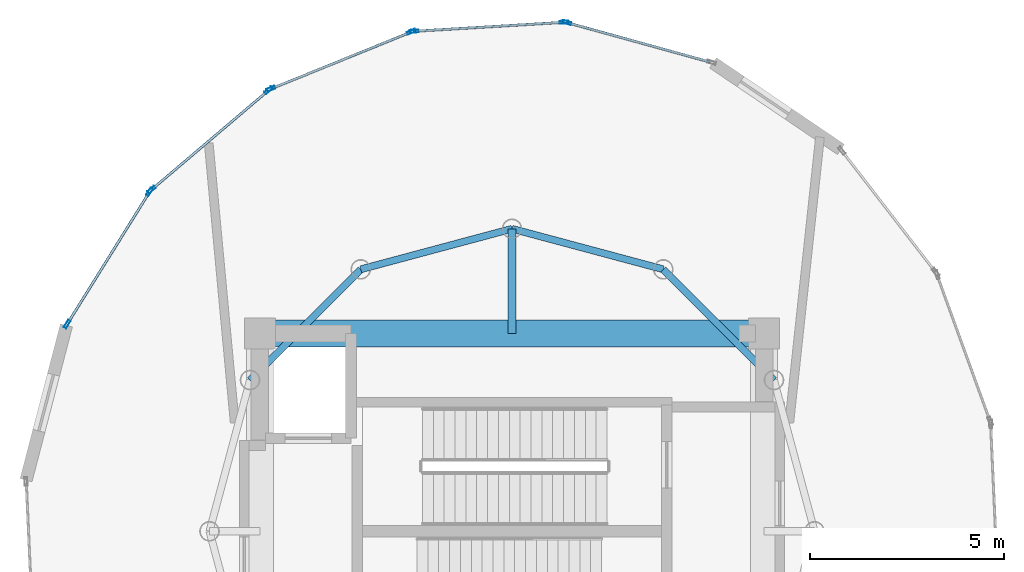
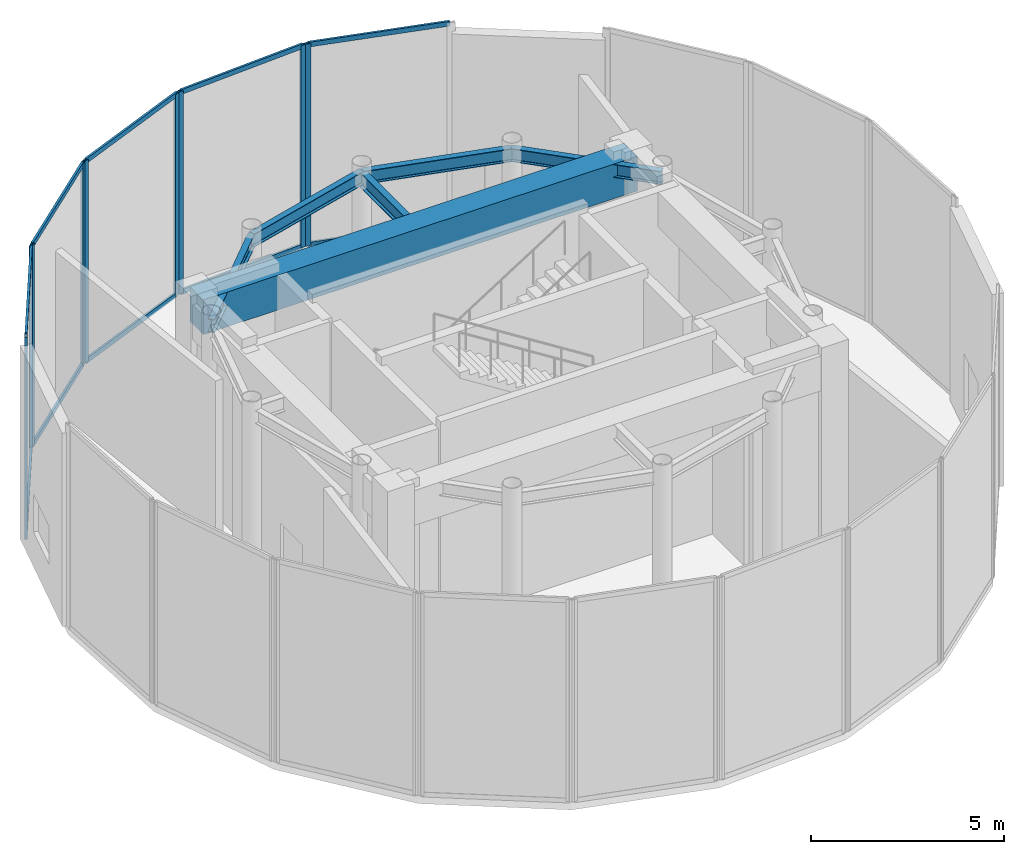
# One storey, part 6 of 10: 19 members, 6 beams, 5 elements without a shape of their own.
"""IFC4 building model written with IfcOpenShell, lengths in metres."""

from ifc_helpers import new_model, si_unit, direction, frame, origin, origin_2d, place, context, subcontext, project, spatial, rectangle, hollow_rectangle, i_section, extrude, source, transform, mapped, material, layer, layer_set, material_profile, profile_set, type_object, element, aggregate, save


model = new_model("IFC4")

# Units and contexts
model_context = context("Model", 3, precision=1e-05, world=origin(), true_north=direction((0.0, 1.0)))
body_context = subcontext(model_context, "Body", "Model", "MODEL_VIEW")
ifc_project = project(units=[si_unit("LENGTHUNIT", "METRE"), si_unit("AREAUNIT", "SQUARE_METRE"), si_unit("VOLUMEUNIT", "CUBIC_METRE"), si_unit("PLANEANGLEUNIT", "RADIAN"), si_unit("MASSUNIT", "GRAM", prefix="KILO")], contexts=[model_context])

# Site, building, storey
site_placement = place(None, origin())
site = spatial("IfcSite", under=ifc_project, at=site_placement, CompositionType="ELEMENT")
building_placement = place(site_placement, origin())
building = spatial("IfcBuilding", under=site, at=building_placement, Name="Solvirekh Grand Hotel", CompositionType="ELEMENT")
storey_placement = place(building_placement, frame((0.0, 0.0, 308.199951171875)))
storey = spatial("IfcBuildingStorey", under=building, at=storey_placement, Name="L79", CompositionType="ELEMENT", Elevation=308.199951171875)

# Beams
ifc_material_1 = material(Name="Concrete C60/75", Category="concrete")
ifc_material_profile_1 = material_profile(ifc_material_1, rectangle(XDim=0.699951171875, YDim=1.10009765625, at=origin_2d()), Name="RC BEAM 700X1100")
ifc_profile_set_1 = profile_set([ifc_material_profile_1], Name="Concrete C60/75")
beam_type_1 = type_object("IfcBeamType", Name="Beam_Core_RC1100", PredefinedType="BEAM", material=ifc_profile_set_1)
beam_1_placement = place(storey_placement, frame((6.5, 5.10009765625, 5.570068359375), z_axis=(-1.0, 0.0, 0.0), x_axis=(0.0, -1.0, 0.0)))
element("IfcBeam", 1, at=beam_1_placement, inside=storey, type_object=beam_type_1, Name="L79 core coupling ring beam 3", PredefinedType="BEAM", context=body_context, shape_type="SweptSolid", body=[
    extrude(rectangle(XDim=0.699951171875, YDim=1.10009765625, at=origin_2d()), origin(), (0.0, 0.0, 1.0), 13.0),
])
ifc_material_2 = material(Name="Steel S355", Category="steel")
ifc_material_profile_2 = material_profile(ifc_material_2, i_section(OverallWidth=0.194091796875, OverallDepth=0.468994140625, WebThickness=0.010986328125, FlangeThickness=0.01904296875, FilletRadius=0.012939453125, at=origin_2d()), Name="W460X106")
ifc_profile_set_2 = profile_set([ifc_material_profile_2], Name="Steel S355")
beam_type_2 = type_object("IfcBeamType", Name="Beam_Radial_W460H", PredefinedType="BEAM", material=ifc_profile_set_2)
beam_2_placement = place(storey_placement, frame((0.0, 5.10009765625, 5.885009765625), z_axis=(0.0, 1.0, 0.0), x_axis=(-1.0, 0.0, 0.0)))
element("IfcBeam", 2, at=beam_2_placement, inside=storey, type_object=beam_type_2, Name="L79 radial floor beam R04", PredefinedType="BEAM", context=body_context, shape_type="SweptSolid", body=[
    extrude(i_section(OverallWidth=0.194091796875, OverallDepth=0.468994140625, WebThickness=0.010986328125, FlangeThickness=0.01904296875, FilletRadius=0.012939453125, at=origin_2d()), origin(), (0.0, 0.0, 1.0), 2.699951171875),
])
ifc_material_profile_3 = material_profile(ifc_material_2, i_section(OverallWidth=0.180908203125, OverallDepth=0.4169921875, WebThickness=0.010009765625, FlangeThickness=0.01611328125, FilletRadius=0.011962890625, at=origin_2d()), Name="W410X85")
ifc_profile_set_3 = profile_set([ifc_material_profile_3], Name="Steel S355")
beam_type_3 = type_object("IfcBeamType", Name="Spandrel_Ring_W410", PredefinedType="SPANDREL", material=ifc_profile_set_3)
for number, where, z_axis, x_axis, name in (
    (3, (6.7548828125, 3.89990234375, 5.9111328125), (-0.707106781187, 0.707106781187, 0.0), (-0.707106781187, -0.707106781187, 0.0), "L79 perimeter spandrel beam 2"),
    (4, (3.89990234375, 6.7548828125, 5.9111328125), (-0.965914040095, 0.258863027773, 0.0), (-0.258863027773, -0.965914040095, 0.0), "L79 perimeter spandrel beam 3"),
    (5, (0.0, 7.800048828125, 5.9111328125), (-0.965914040095, -0.258863027773, 0.0), (0.258863027773, -0.965914040095, 0.0), "L79 perimeter spandrel beam 4"),
    (6, (-3.89990234375, 6.7548828125, 5.9111328125), (-0.707106781187, -0.707106781187, 0.0), (0.707106781187, -0.707106781187, 0.0), "L79 perimeter spandrel beam 5"),
):
    element("IfcBeam", number, at=place(storey_placement, frame(where, z_axis=z_axis, x_axis=x_axis)), inside=storey, type_object=beam_type_3, Name=name, PredefinedType="SPANDREL", context=body_context, shape_type="SweptSolid", body=[
        extrude(i_section(OverallWidth=0.180908203125, OverallDepth=0.4169921875, WebThickness=0.010009765625, FlangeThickness=0.01611328125, FilletRadius=0.011962890625, at=origin_2d()), origin(), (0.0, 0.0, 1.0), 4.03759765625),
    ])

# Curtain wall, member
ifc_material_3 = material(Name="Anodized Bronze Aluminium 6063-T6", Category="aluminium")
ifc_layer = layer(ifc_material_3, 0.219970703125)
ifc_layer_set = layer_set([ifc_layer], Name="Anodized Bronze Aluminium 6063-T6")
curtain_wall_type = type_object("IfcCurtainWallType", Name="CW_Sys6_CrownFacetedPointCW", PredefinedType="NOTDEFINED", material=ifc_layer_set)
curtain_wall_1_placement = place(storey_placement, origin())
curtain_wall_1 = element("IfcCurtainWall", 7, at=curtain_wall_1_placement, inside=storey, type_object=curtain_wall_type, Name="L79 unitised bronze-glass curtain wall CW-L79-C10", PredefinedType="NOTDEFINED")
ifc_material_profile_4 = material_profile(ifc_material_3, hollow_rectangle(XDim=0.074951171875, YDim=0.219970703125, WallThickness=0.006103515625, at=origin_2d()), Name="ALU RHS 220X75X6")
ifc_profile_set_4 = profile_set([ifc_material_profile_4], Name="Anodized Bronze Aluminium 6063-T6")
member_type_1 = type_object("IfcMemberType", Name="CWMullion_Sys6", PredefinedType="MULLION", material=ifc_profile_set_4)
shared_shape_1 = source(origin(), body_context, "Body", "SweptSolid", [
    extrude(hollow_rectangle(XDim=0.074951171875, YDim=0.219970703125, WallThickness=0.006103515625, at=origin_2d()), origin(), (0.0, 0.0, 1.0), 6.400146484375),
])
member_1_placement = place(storey_placement, frame((1.416259765625, 13.117919921875, 0.0), z_axis=(0.0, 0.0, 1.0), x_axis=(-0.266010178933, -0.963970219822, 0.0)))
member_1 = element("IfcMember", 8, at=member_1_placement, type_object=member_type_1, Name="U06 mullion 2", PredefinedType="MULLION", context=body_context, shape_type="MappedRepresentation", body=[
    mapped(shared_shape_1, transform((0.0, 0.0, 0.0), x_axis=(1.0, 0.0, 0.0), y_axis=(0.0, 1.0, 0.0), z_axis=(0.0, 0.0, 1.0), scale=1.0)),
])

# Curtain wall, members
curtain_wall_2_placement = place(storey_placement, origin())
curtain_wall_2 = element("IfcCurtainWall", 9, at=curtain_wall_2_placement, inside=storey, type_object=curtain_wall_type, Name="L79 unitised bronze-glass curtain wall CW-L79-C11", PredefinedType="NOTDEFINED")
member_2_placement = place(storey_placement, frame((1.342529296875, 13.125732421875, 0.0), z_axis=(0.0, 0.0, 1.0), x_axis=(0.059791312727, -0.99821089902, 0.0)))
member_2 = element("IfcMember", 10, at=member_2_placement, type_object=member_type_1, Name="U06 mullion 1", PredefinedType="MULLION", context=body_context, shape_type="MappedRepresentation", body=[
    mapped(shared_shape_1, transform((0.0, 0.0, 0.0), x_axis=(1.0, 0.0, 0.0), y_axis=(0.0, 1.0, 0.0), z_axis=(0.0, 0.0, 1.0), scale=1.0)),
])
member_3_placement = place(storey_placement, frame((-2.5224609375, 12.894287109375, 0.0), z_axis=(0.0, 0.0, 1.0), x_axis=(0.059791312727, -0.99821089902, 0.0)))
member_3 = element("IfcMember", 11, at=member_3_placement, type_object=member_type_1, Name="U06 mullion 2", PredefinedType="MULLION", context=body_context, shape_type="MappedRepresentation", body=[
    mapped(shared_shape_1, transform((0.0, 0.0, 0.0), x_axis=(1.0, 0.0, 0.0), y_axis=(0.0, 1.0, 0.0), z_axis=(0.0, 0.0, 1.0), scale=1.0)),
])

curtain_wall_3_placement = place(storey_placement, origin())
curtain_wall_3 = element("IfcCurtainWall", 12, at=curtain_wall_3_placement, inside=storey, type_object=curtain_wall_type, Name="L79 unitised bronze-glass curtain wall CW-L79-C12", PredefinedType="NOTDEFINED")
member_4_placement = place(storey_placement, frame((-2.5947265625, 12.8779296875, 0.0), z_axis=(0.0, 0.0, 1.0), x_axis=(0.376019931651, -0.926611575042, 0.0)))
member_4 = element("IfcMember", 13, at=member_4_placement, type_object=member_type_1, Name="U06 mullion 1", PredefinedType="MULLION", context=body_context, shape_type="MappedRepresentation", body=[
    mapped(shared_shape_1, transform((0.0, 0.0, 0.0), x_axis=(1.0, 0.0, 0.0), y_axis=(0.0, 1.0, 0.0), z_axis=(0.0, 0.0, 1.0), scale=1.0)),
])
member_5_placement = place(storey_placement, frame((-6.21435546875, 11.4091796875, 0.0), z_axis=(0.0, 0.0, 1.0), x_axis=(0.376019931651, -0.926611575042, 0.0)))
member_5 = element("IfcMember", 14, at=member_5_placement, type_object=member_type_1, Name="U06 mullion 2", PredefinedType="MULLION", context=body_context, shape_type="MappedRepresentation", body=[
    mapped(shared_shape_1, transform((0.0, 0.0, 0.0), x_axis=(1.0, 0.0, 0.0), y_axis=(0.0, 1.0, 0.0), z_axis=(0.0, 0.0, 1.0), scale=1.0)),
])

curtain_wall_4_placement = place(storey_placement, origin())
curtain_wall_4 = element("IfcCurtainWall", 15, at=curtain_wall_4_placement, inside=storey, type_object=curtain_wall_type, Name="L79 unitised bronze-glass curtain wall CW-L79-C13", PredefinedType="NOTDEFINED")
member_6_placement = place(storey_placement, frame((-6.277587890625, 11.370849609375, 0.0), z_axis=(0.0, 0.0, 1.0), x_axis=(0.647173794498, -0.762342495022, 0.0)))
member_6 = element("IfcMember", 16, at=member_6_placement, type_object=member_type_1, Name="U06 mullion 1", PredefinedType="MULLION", context=body_context, shape_type="MappedRepresentation", body=[
    mapped(shared_shape_1, transform((0.0, 0.0, 0.0), x_axis=(1.0, 0.0, 0.0), y_axis=(0.0, 1.0, 0.0), z_axis=(0.0, 0.0, 1.0), scale=1.0)),
])
member_7_placement = place(storey_placement, frame((-9.29833984375, 8.80615234375, 0.0), z_axis=(0.0, 0.0, 1.0), x_axis=(0.647173794498, -0.762342495022, 0.0)))
member_7 = element("IfcMember", 17, at=member_7_placement, type_object=member_type_1, Name="U06 mullion 2", PredefinedType="MULLION", context=body_context, shape_type="MappedRepresentation", body=[
    mapped(shared_shape_1, transform((0.0, 0.0, 0.0), x_axis=(1.0, 0.0, 0.0), y_axis=(0.0, 1.0, 0.0), z_axis=(0.0, 0.0, 1.0), scale=1.0)),
])

curtain_wall_5_placement = place(storey_placement, origin())
curtain_wall_5 = element("IfcCurtainWall", 18, at=curtain_wall_5_placement, inside=storey, type_object=curtain_wall_type, Name="L79 unitised bronze-glass curtain wall CW-L79-C14", PredefinedType="NOTDEFINED")
member_8_placement = place(storey_placement, frame((-9.346923828125, 8.750244140625, 0.0), z_axis=(0.0, 0.0, 1.0), x_axis=(0.848725147477, -0.528834212245, 0.0)))
member_8 = element("IfcMember", 19, at=member_8_placement, type_object=member_type_1, Name="U06 mullion 1", PredefinedType="MULLION", context=body_context, shape_type="MappedRepresentation", body=[
    mapped(shared_shape_1, transform((0.0, 0.0, 0.0), x_axis=(1.0, 0.0, 0.0), y_axis=(0.0, 1.0, 0.0), z_axis=(0.0, 0.0, 1.0), scale=1.0)),
])
member_9_placement = place(storey_placement, frame((-11.47119140625, 5.3408203125, 0.0), z_axis=(0.0, 0.0, 1.0), x_axis=(0.848725147477, -0.528834212245, 0.0)))
member_9 = element("IfcMember", 20, at=member_9_placement, type_object=member_type_1, Name="U06 mullion 2", PredefinedType="MULLION", context=body_context, shape_type="MappedRepresentation", body=[
    mapped(shared_shape_1, transform((0.0, 0.0, 0.0), x_axis=(1.0, 0.0, 0.0), y_axis=(0.0, 1.0, 0.0), z_axis=(0.0, 0.0, 1.0), scale=1.0)),
])

# Member
ifc_material_profile_5 = material_profile(ifc_material_3, hollow_rectangle(XDim=0.06494140625, YDim=0.14990234375, WallThickness=0.0048828125, at=origin_2d()), Name="ALU RHS 150X65X5")
ifc_profile_set_5 = profile_set([ifc_material_profile_5], Name="Anodized Bronze Aluminium 6063-T6")
member_type_2 = type_object("IfcMemberType", Name="CWTransom_Sys6", PredefinedType="USERDEFINED", material=ifc_profile_set_5)
shared_shape_2 = source(origin(), body_context, "Body", "SweptSolid", [
    extrude(hollow_rectangle(XDim=0.06494140625, YDim=0.14990234375, WallThickness=0.0048828125, at=origin_2d()), origin(), (0.0, 0.0, 1.0), 3.797119140625),
])
member_10_placement = place(storey_placement, frame((1.30517578125, 13.12353515625, 0.032470703125), z_axis=(-0.998210606811, -0.059796190939, 0.0), x_axis=(0.059796190939, -0.998210606811, 0.0)))
member_10 = element("IfcMember", 21, at=member_10_placement, type_object=member_type_2, Name="U06 transom 1.1", ObjectType="TRANSOM", PredefinedType="USERDEFINED", context=body_context, shape_type="MappedRepresentation", body=[
    mapped(shared_shape_2, transform((0.0, 0.0, 0.0), x_axis=(1.0, 0.0, 0.0), y_axis=(0.0, 1.0, 0.0), z_axis=(0.0, 0.0, 1.0), scale=1.0)),
])

member_11_placement = place(storey_placement, frame((1.30517578125, 13.12353515625, 6.367431640625), z_axis=(-0.998210606811, -0.059796190939, 0.0), x_axis=(0.059796190939, -0.998210606811, 0.0)))
member_11 = element("IfcMember", 22, at=member_11_placement, type_object=member_type_2, Name="U06 transom 1.2", ObjectType="TRANSOM", PredefinedType="USERDEFINED", context=body_context, shape_type="MappedRepresentation", body=[
    mapped(shared_shape_2, transform((0.0, 0.0, 0.0), x_axis=(1.0, 0.0, 0.0), y_axis=(0.0, 1.0, 0.0), z_axis=(0.0, 0.0, 1.0), scale=1.0)),
])

aggregate(curtain_wall_2, [member_2, member_3, member_10, member_11])

shared_shape_3 = source(origin(), body_context, "Body", "SweptSolid", [
    extrude(hollow_rectangle(XDim=0.06494140625, YDim=0.14990234375, WallThickness=0.0048828125, at=origin_2d()), origin(), (0.0, 0.0, 1.0), 3.831298828125),
])
member_12_placement = place(storey_placement, frame((-2.62939453125, 12.86376953125, 0.032470703125), z_axis=(-0.926606085915, -0.376033458014, 0.0), x_axis=(0.376033458014, -0.926606085915, 0.0)))
member_12 = element("IfcMember", 23, at=member_12_placement, type_object=member_type_2, Name="U06 transom 1.1", ObjectType="TRANSOM", PredefinedType="USERDEFINED", context=body_context, shape_type="MappedRepresentation", body=[
    mapped(shared_shape_3, transform((0.0, 0.0, 0.0), x_axis=(1.0, 0.0, 0.0), y_axis=(0.0, 1.0, 0.0), z_axis=(0.0, 0.0, 1.0), scale=1.0)),
])

member_13_placement = place(storey_placement, frame((-2.62939453125, 12.86376953125, 6.367431640625), z_axis=(-0.926606085915, -0.376033458014, 0.0), x_axis=(0.376033458014, -0.926606085915, 0.0)))
member_13 = element("IfcMember", 24, at=member_13_placement, type_object=member_type_2, Name="U06 transom 1.2", ObjectType="TRANSOM", PredefinedType="USERDEFINED", context=body_context, shape_type="MappedRepresentation", body=[
    mapped(shared_shape_3, transform((0.0, 0.0, 0.0), x_axis=(1.0, 0.0, 0.0), y_axis=(0.0, 1.0, 0.0), z_axis=(0.0, 0.0, 1.0), scale=1.0)),
])

aggregate(curtain_wall_3, [member_4, member_5, member_12, member_13])

shared_shape_4 = source(origin(), body_context, "Body", "SweptSolid", [
    extrude(hollow_rectangle(XDim=0.06494140625, YDim=0.14990234375, WallThickness=0.0048828125, at=origin_2d()), origin(), (0.0, 0.0, 1.0), 3.887451171875),
])
member_14_placement = place(storey_placement, frame((-6.30615234375, 11.346435546875, 0.032470703125), z_axis=(-0.762346692669, -0.647168849819, 0.0), x_axis=(0.647168849819, -0.762346692669, 0.0)))
member_14 = element("IfcMember", 25, at=member_14_placement, type_object=member_type_2, Name="U06 transom 1.1", ObjectType="TRANSOM", PredefinedType="USERDEFINED", context=body_context, shape_type="MappedRepresentation", body=[
    mapped(shared_shape_4, transform((0.0, 0.0, 0.0), x_axis=(1.0, 0.0, 0.0), y_axis=(0.0, 1.0, 0.0), z_axis=(0.0, 0.0, 1.0), scale=1.0)),
])

member_15_placement = place(storey_placement, frame((-6.30615234375, 11.346435546875, 6.367431640625), z_axis=(-0.762346692669, -0.647168849819, 0.0), x_axis=(0.647168849819, -0.762346692669, 0.0)))
member_15 = element("IfcMember", 26, at=member_15_placement, type_object=member_type_2, Name="U06 transom 1.2", ObjectType="TRANSOM", PredefinedType="USERDEFINED", context=body_context, shape_type="MappedRepresentation", body=[
    mapped(shared_shape_4, transform((0.0, 0.0, 0.0), x_axis=(1.0, 0.0, 0.0), y_axis=(0.0, 1.0, 0.0), z_axis=(0.0, 0.0, 1.0), scale=1.0)),
])

aggregate(curtain_wall_4, [member_6, member_7, member_14, member_15])

shared_shape_5 = source(origin(), body_context, "Body", "SweptSolid", [
    extrude(hollow_rectangle(XDim=0.06494140625, YDim=0.14990234375, WallThickness=0.0048828125, at=origin_2d()), origin(), (0.0, 0.0, 1.0), 3.942138671875),
])
member_16_placement = place(storey_placement, frame((-9.36669921875, 8.71826171875, 0.032470703125), z_axis=(-0.528840519316, -0.848721217556, 0.0), x_axis=(0.848721217556, -0.528840519316, 0.0)))
member_16 = element("IfcMember", 27, at=member_16_placement, type_object=member_type_2, Name="U06 transom 1.1", ObjectType="TRANSOM", PredefinedType="USERDEFINED", context=body_context, shape_type="MappedRepresentation", body=[
    mapped(shared_shape_5, transform((0.0, 0.0, 0.0), x_axis=(1.0, 0.0, 0.0), y_axis=(0.0, 1.0, 0.0), z_axis=(0.0, 0.0, 1.0), scale=1.0)),
])

member_17_placement = place(storey_placement, frame((-9.36669921875, 8.71826171875, 6.367431640625), z_axis=(-0.528840519316, -0.848721217556, 0.0), x_axis=(0.848721217556, -0.528840519316, 0.0)))
member_17 = element("IfcMember", 28, at=member_17_placement, type_object=member_type_2, Name="U06 transom 1.2", ObjectType="TRANSOM", PredefinedType="USERDEFINED", context=body_context, shape_type="MappedRepresentation", body=[
    mapped(shared_shape_5, transform((0.0, 0.0, 0.0), x_axis=(1.0, 0.0, 0.0), y_axis=(0.0, 1.0, 0.0), z_axis=(0.0, 0.0, 1.0), scale=1.0)),
])

aggregate(curtain_wall_5, [member_8, member_9, member_16, member_17])

shared_shape_6 = source(origin(), body_context, "Body", "SweptSolid", [
    extrude(hollow_rectangle(XDim=0.06494140625, YDim=0.14990234375, WallThickness=0.0048828125, at=origin_2d()), origin(), (0.0, 0.0, 1.0), 3.79736328125),
])
member_18_placement = place(storey_placement, frame((5.11279296875, 12.097900390625, 0.032470703125), z_axis=(-0.963959646814, 0.26604849053, 0.0), x_axis=(-0.26604849053, -0.963959646814, 0.0)))
member_18 = element("IfcMember", 29, at=member_18_placement, type_object=member_type_2, Name="U06 transom 1.1", ObjectType="TRANSOM", PredefinedType="USERDEFINED", context=body_context, shape_type="MappedRepresentation", body=[
    mapped(shared_shape_6, transform((0.0, 0.0, 0.0), x_axis=(1.0, 0.0, 0.0), y_axis=(0.0, 1.0, 0.0), z_axis=(0.0, 0.0, 1.0), scale=1.0)),
])

member_19_placement = place(storey_placement, frame((5.11279296875, 12.097900390625, 6.367431640625), z_axis=(-0.963959646814, 0.26604849053, 0.0), x_axis=(-0.26604849053, -0.963959646814, 0.0)))
member_19 = element("IfcMember", 30, at=member_19_placement, type_object=member_type_2, Name="U06 transom 1.2", ObjectType="TRANSOM", PredefinedType="USERDEFINED", context=body_context, shape_type="MappedRepresentation", body=[
    mapped(shared_shape_6, transform((0.0, 0.0, 0.0), x_axis=(1.0, 0.0, 0.0), y_axis=(0.0, 1.0, 0.0), z_axis=(0.0, 0.0, 1.0), scale=1.0)),
])

aggregate(curtain_wall_1, [member_1, member_18, member_19])

save(model, "model.ifc")
